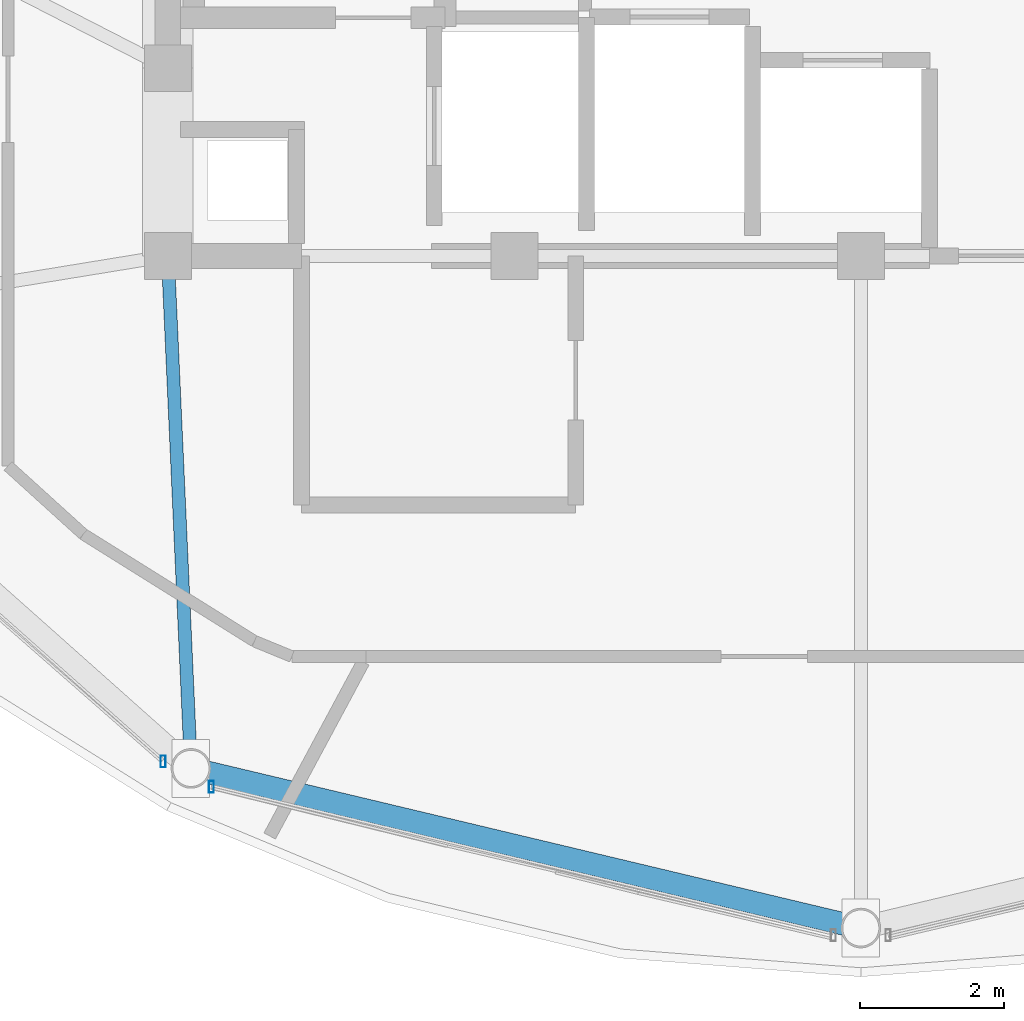
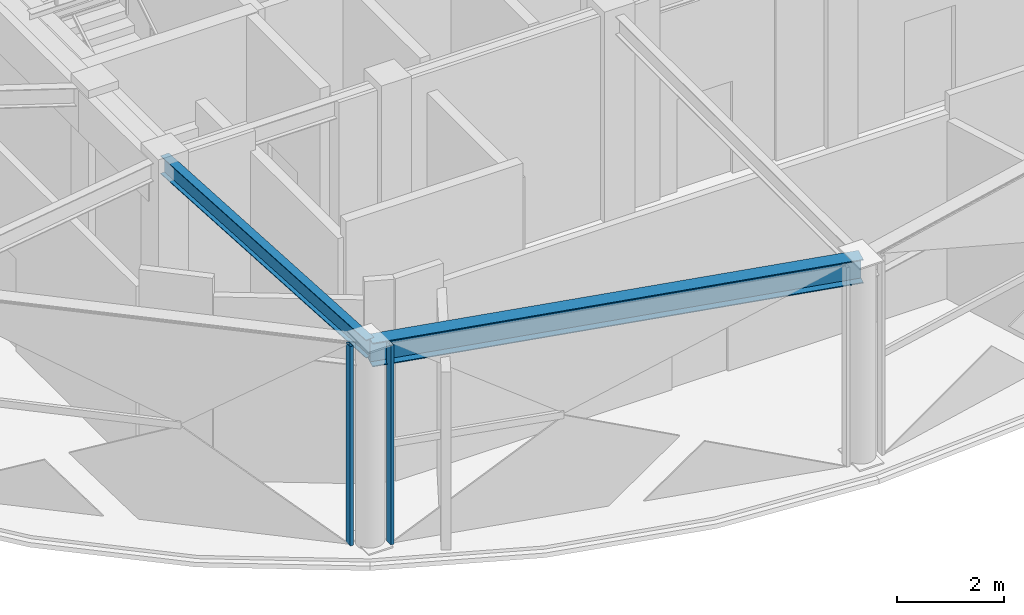
# One storey, part 2 of 22: 2 beams, 2 members, 2 elements without a shape of their own.
"""IFC4 building model written with IfcOpenShell, lengths in metres."""

from ifc_helpers import new_model, si_unit, direction, frame, origin, origin_2d, place, context, subcontext, project, spatial, hollow_rectangle, i_section, extrude, material, layer, layer_set, material_profile, profile_set, type_object, element, aggregate, save


model = new_model("IFC4")

# Units and contexts
model_context = context("Model", 3, precision=1e-05, world=origin(), true_north=direction((0.0, 1.0)))
body_context = subcontext(model_context, "Body", "Model", "MODEL_VIEW")
ifc_project = project(units=[si_unit("LENGTHUNIT", "METRE"), si_unit("AREAUNIT", "SQUARE_METRE"), si_unit("VOLUMEUNIT", "CUBIC_METRE"), si_unit("PLANEANGLEUNIT", "RADIAN"), si_unit("MASSUNIT", "GRAM", prefix="KILO")], contexts=[model_context])

# Site, building, storey
site_placement = place(None, origin())
site = spatial("IfcSite", under=ifc_project, at=site_placement, CompositionType="ELEMENT")
building_placement = place(site_placement, origin())
building = spatial("IfcBuilding", under=site, at=building_placement, Name="Vantalir Tower", CompositionType="ELEMENT")
storey_placement = place(building_placement, frame((0.0, 0.0, 294.89990234375)))
storey = spatial("IfcBuildingStorey", under=building, at=storey_placement, Name="L74", CompositionType="ELEMENT", Elevation=294.89990234375)

# Beams
ifc_material_1 = material(Name="Steel S355", Category="steel")
ifc_material_profile_1 = material_profile(ifc_material_1, i_section(OverallWidth=0.179931640625, OverallDepth=0.4130859375, WebThickness=0.009521484375, FlangeThickness=0.01611328125, at=origin_2d()), Name="Steel S355")
ifc_profile_set_1 = profile_set([ifc_material_profile_1], Name="Steel S355")
beam_type_1 = type_object("IfcBeamType", Name="BM-RB-406x178", PredefinedType="BEAM", material=ifc_profile_set_1)
beam_1_placement = place(storey_placement, frame((22.219970703125, 10.699951171875, 4.4140625), z_axis=(-0.045033696072, 0.998985468472, 0.0), x_axis=(-0.998985468472, -0.045033696072, 0.0)))
element("IfcBeam", 1, at=beam_1_placement, inside=storey, type_object=beam_type_1, Name="L74 Radial Floor Beam 09", PredefinedType="BEAM", context=body_context, shape_type="SweptSolid", body=[
    extrude(i_section(OverallWidth=0.179931640625, OverallDepth=0.4130859375, WebThickness=0.009521484375, FlangeThickness=0.01611328125, at=origin_2d()), origin(), (0.0, 0.0, 1.0), 7.107421875),
])
ifc_material_2 = material(Name="Steel S460", Category="steel")
ifc_material_profile_2 = material_profile(ifc_material_2, i_section(OverallWidth=0.31201171875, OverallDepth=0.5419921875, WebThickness=0.0126953125, FlangeThickness=0.020263671875, at=origin_2d()), Name="Steel S460")
ifc_profile_set_2 = profile_set([ifc_material_profile_2], Name="Steel S460")
beam_type_2 = type_object("IfcBeamType", Name="BM-RG-533x312", PredefinedType="USERDEFINED", material=ifc_profile_set_2)
beam_2_placement = place(storey_placement, frame((22.219970703125, 10.699951171875, 4.34912109375), z_axis=(0.972749896139, -0.231856937703, 0.0), x_axis=(0.231856937703, 0.972749896139, 0.0)))
element("IfcBeam", 2, at=beam_2_placement, inside=storey, type_object=beam_type_2, Name="L74 Circumferential Ring Girder 09", ObjectType="GIRDER", PredefinedType="USERDEFINED", context=body_context, shape_type="SweptSolid", body=[
    extrude(i_section(OverallWidth=0.31201171875, OverallDepth=0.5419921875, WebThickness=0.0126953125, FlangeThickness=0.020263671875, at=origin_2d()), origin(), (0.0, 0.0, 1.0), 9.5400390625),
])

# Curtain wall, member
ifc_material_3 = material(Name="Champagne-silver PVDF aluminium and double-silver Low-E glass", Category="aluminium")
ifc_layer = layer(ifc_material_3, 0.219970703125)
ifc_layer_set = layer_set([ifc_layer], Name="Champagne-silver PVDF aluminium and double-silver Low-E glass")
curtain_wall_type = type_object("IfcCurtainWallType", Name="CW-DIAMOND-Z4", PredefinedType="USERDEFINED", material=ifc_layer_set)
curtain_wall_1_placement = place(storey_placement, origin())
curtain_wall_1 = element("IfcCurtainWall", 3, at=curtain_wall_1_placement, inside=storey, type_object=curtain_wall_type, Name="L74 Quilted Pyramid-Diamond Curtain Wall S08", ObjectType="UNITISED CURTAIN WALL", PredefinedType="USERDEFINED")
ifc_material_4 = material(Name="Champagne-silver PVDF aluminium 6063-T6", Category="aluminium")
ifc_material_profile_3 = material_profile(ifc_material_4, hollow_rectangle(XDim=0.070068359375, YDim=0.1650390625, WallThickness=0.00390625, at=origin_2d()), Name="Champagne-silver PVDF aluminium 6063-T6")
ifc_profile_set_3 = profile_set([ifc_material_profile_3], Name="Champagne-silver PVDF aluminium 6063-T6")
member_type = type_object("IfcMemberType", Name="CWM-165x70", PredefinedType="MULLION", material=ifc_profile_set_3)
member_1_placement = place(storey_placement, frame((21.833984375, 10.794921875, 0.045166015625), z_axis=(0.0, 0.0, 1.0), x_axis=(1.0, 0.0, 0.0)))
member_1 = element("IfcMember", 4, at=member_1_placement, type_object=member_type, Name="CW-L74-S08 Mullion 2", PredefinedType="MULLION", context=body_context, shape_type="SweptSolid", body=[
    extrude(hollow_rectangle(XDim=0.070068359375, YDim=0.1650390625, WallThickness=0.00390625, at=origin_2d()), origin(), (0.0, 0.0, 1.0), 4.530029296875),
])
aggregate(curtain_wall_1, [member_1])

curtain_wall_2_placement = place(storey_placement, origin())
curtain_wall_2 = element("IfcCurtainWall", 5, at=curtain_wall_2_placement, inside=storey, type_object=curtain_wall_type, Name="L74 Quilted Pyramid-Diamond Curtain Wall S09", ObjectType="UNITISED CURTAIN WALL", PredefinedType="USERDEFINED")
member_2_placement = place(storey_placement, frame((22.50390625, 10.445068359375, 0.045166015625), z_axis=(0.0, 0.0, 1.0), x_axis=(1.0, 0.0, 0.0)))
member_2 = element("IfcMember", 6, at=member_2_placement, type_object=member_type, Name="CW-L74-S09 Mullion 1", PredefinedType="MULLION", context=body_context, shape_type="SweptSolid", body=[
    extrude(hollow_rectangle(XDim=0.070068359375, YDim=0.1650390625, WallThickness=0.00390625, at=origin_2d()), origin(), (0.0, 0.0, 1.0), 4.530029296875),
])
aggregate(curtain_wall_2, [member_2])

save(model, "model.ifc")
